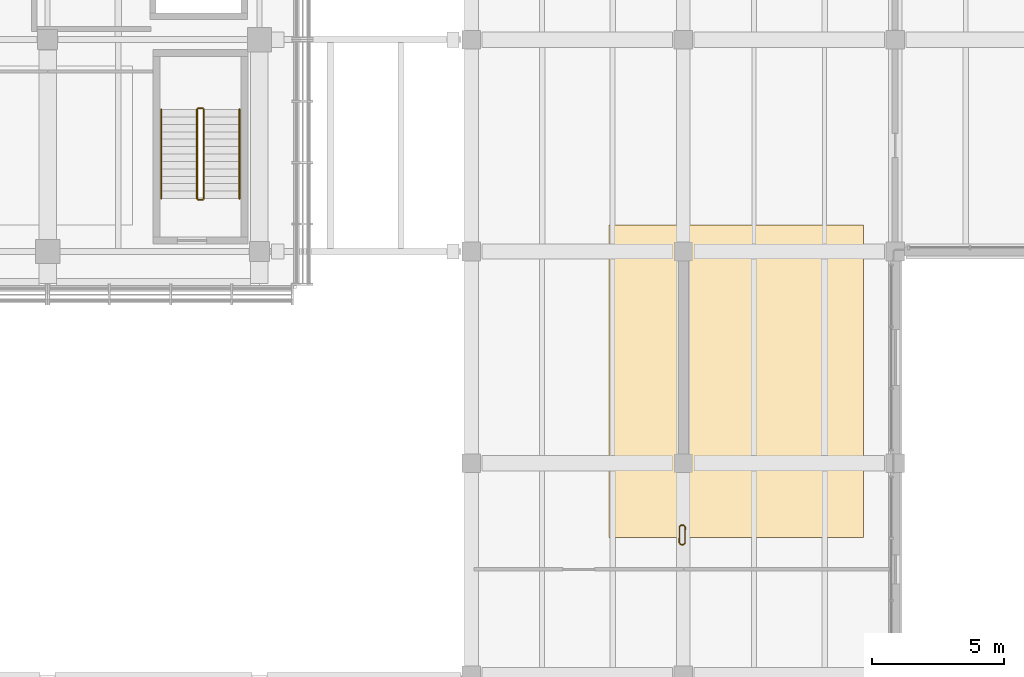
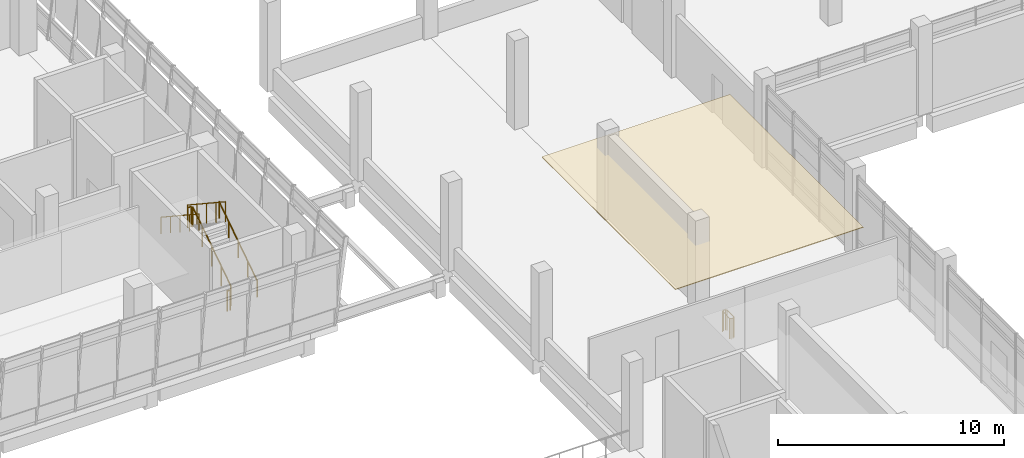
# One storey, part 46 of 52: 7 railings, 1 covering.
"""IFC4 building model written with IfcOpenShell, lengths in metres."""

from ifc_helpers import new_model, si_unit, direction, frame, origin, origin_2d, place, context, subcontext, project, spatial, polyline, circle, outline, extrude, material, layer, layer_set, type_object, element, save


model = new_model("IFC4")

# Units and contexts
model_context = context("Model", 3, precision=1e-05, world=origin(), true_north=direction((0.0, 1.0)))
body_context = subcontext(model_context, "Body", "Model", "MODEL_VIEW")
ifc_project = project(units=[si_unit("LENGTHUNIT", "METRE"), si_unit("AREAUNIT", "SQUARE_METRE"), si_unit("VOLUMEUNIT", "CUBIC_METRE"), si_unit("PLANEANGLEUNIT", "RADIAN"), si_unit("MASSUNIT", "GRAM", prefix="KILO")], contexts=[model_context])

# Site, building, storey
site_placement = place(None, origin())
site = spatial("IfcSite", under=ifc_project, at=site_placement, CompositionType="ELEMENT")
building_placement = place(site_placement, origin())
building = spatial("IfcBuilding", under=site, at=building_placement, Name="Pecanmere Concourse Central Library", CompositionType="ELEMENT")
storey_placement = place(building_placement, frame((0.0, 0.0, 10.5)))
storey = spatial("IfcBuildingStorey", under=building, at=storey_placement, Name="L03", CompositionType="ELEMENT", Elevation=10.5)

# Covering
ifc_material_1 = material(Name="Perforated mineral acoustic ceiling tile")
ifc_layer = layer(ifc_material_1, 0.0400390625, Name="COV_CEIL_ACOUSTIC")
ifc_layer_set = layer_set([ifc_layer], Name="Perforated mineral acoustic ceiling tile")
covering_type = type_object("IfcCoveringType", Name="COV_CEIL_ACOUSTIC", PredefinedType="CEILING", material=ifc_layer_set)
covering_placement = place(storey_placement, frame((0.0, 0.0, 3.429931640625)))
element("IfcCovering", 1, at=covering_placement, inside=storey, type_object=covering_type, Name="Acoustic Coffered Ceiling L03-013", PredefinedType="CEILING", context=body_context, shape_type="SweptSolid", body=[
    extrude(outline(polyline([(117.199951171875, 79.199951171875), (126.800048828125, 79.199951171875), (126.800048828125, 91.0), (117.199951171875, 91.0), (117.199951171875, 79.199951171875)])), origin(), (0.0, 0.0, 1.0), 0.0400390625),
])

# Railings
ifc_material_2 = material(Name="Architectural anodized bronze")
railing_type_1 = type_object("IfcRailingType", Name="RAIL_ATRIUM_BAL", PredefinedType="BALUSTRADE", material=ifc_material_2)
railing_1_placement = place(storey_placement, frame((119.923095703125, 79.669677734375, 0.0)))
element("IfcRailing", 2, at=railing_1_placement, inside=storey, type_object=railing_type_1, Name="Deck Edge Protective Balustrade L03-135", PredefinedType="BALUSTRADE", context=body_context, shape_type="SweptSolid", body=[
    extrude(circle(Radius=0.02392578125, at=origin_2d()), frame((0.0, 0.0, 1.09619140625), z_axis=(-0.806311430369, -0.591491231767, 0.0), x_axis=(0.591491231767, -0.806311430369, 0.0)), (0.0, 0.0, 1.0), 0.0830078125),
    extrude(circle(Radius=0.02392578125, at=origin_2d()), frame((-0.06689453125, -0.049072265625, 1.09619140625), z_axis=(-0.009489489668, -0.999954973779, 0.0), x_axis=(0.999954973779, -0.009489489668, 0.0)), (0.0, 0.0, 1.0), 0.617431640625),
    extrude(circle(Radius=0.02392578125, at=origin_2d()), frame((-0.07275390625, -0.66650390625, 1.09619140625), z_axis=(0.591491231767, -0.806311430369, 0.0), x_axis=(0.806311430369, 0.591491231767, 0.0)), (0.0, 0.0, 1.0), 0.0830078125),
    extrude(circle(Radius=0.02392578125, at=origin_2d()), frame((-0.023681640625, -0.7333984375, 1.09619140625), z_axis=(0.998195860289, -0.060041856258, 0.0), x_axis=(0.060041856258, 0.998195860289, 0.0)), (0.0, 0.0, 1.0), 0.09765625),
    extrude(circle(Radius=0.02392578125, at=origin_2d()), frame((0.07373046875, -0.7392578125, 1.09619140625), z_axis=(0.806311430369, 0.591491231767, 0.0), x_axis=(-0.591491231767, 0.806311430369, 0.0)), (0.0, 0.0, 1.0), 0.0830078125),
    extrude(circle(Radius=0.02392578125, at=origin_2d()), frame((0.140625, -0.690185546875, 1.09619140625), z_axis=(0.009489489668, 0.999954973779, 0.0), x_axis=(-0.999954973779, 0.009489489668, 0.0)), (0.0, 0.0, 1.0), 0.617431640625),
    extrude(circle(Radius=0.02392578125, at=origin_2d()), frame((0.146484375, -0.07275390625, 1.09619140625), z_axis=(-0.591491231767, 0.806311430369, 0.0), x_axis=(-0.806311430369, -0.591491231767, 0.0)), (0.0, 0.0, 1.0), 0.0830078125),
    extrude(circle(Radius=0.02392578125, at=origin_2d()), frame((0.097412109375, -0.005859375, 1.09619140625), z_axis=(-0.998195860289, 0.060041856258, 0.0), x_axis=(-0.060041856258, -0.998195860289, 0.0)), (0.0, 0.0, 1.0), 0.09765625),
    extrude(circle(Radius=0.02099609375, at=origin_2d()), origin(), (0.0, 0.0, 1.0), 1.072021484375),
    extrude(circle(Radius=0.02099609375, at=origin_2d()), frame((-0.06689453125, -0.049072265625, 0.0)), (0.0, 0.0, 1.0), 1.072021484375),
    extrude(circle(Radius=0.02099609375, at=origin_2d()), frame((-0.07275390625, -0.66650390625, 0.0)), (0.0, 0.0, 1.0), 1.072021484375),
    extrude(circle(Radius=0.02099609375, at=origin_2d()), frame((-0.023681640625, -0.7333984375, 0.0)), (0.0, 0.0, 1.0), 1.072021484375),
    extrude(circle(Radius=0.02099609375, at=origin_2d()), frame((0.07373046875, -0.7392578125, 0.0)), (0.0, 0.0, 1.0), 1.072021484375),
    extrude(circle(Radius=0.02099609375, at=origin_2d()), frame((0.140625, -0.690185546875, 0.0)), (0.0, 0.0, 1.0), 1.072021484375),
    extrude(circle(Radius=0.02099609375, at=origin_2d()), frame((0.146484375, -0.07275390625, 0.0)), (0.0, 0.0, 1.0), 1.072021484375),
    extrude(circle(Radius=0.02099609375, at=origin_2d()), frame((0.097412109375, -0.005859375, 0.0)), (0.0, 0.0, 1.0), 1.072021484375),
])
ifc_material_3 = material(Name="Painted architectural steel ASTM A36", Category="steel")
railing_type_2 = type_object("IfcRailingType", Name="RAIL_STAIR_GUARD", PredefinedType="GUARDRAIL", material=ifc_material_3)
railing_2_placement = place(storey_placement, frame((101.89990234375, 92.0, 0.1845703125)))
element("IfcRailing", 3, at=railing_2_placement, inside=storey, type_object=railing_type_2, Name="L03 ST-02 Guard 1", PredefinedType="GUARDRAIL", context=body_context, shape_type="SweptSolid", body=[
    extrude(circle(Radius=0.02392578125, at=origin_2d()), frame((0.0, 0.0, 1.076171875), z_axis=(0.0, 0.834876476806, 0.550437342915), x_axis=(-1.0, 0.0, 0.0)), (0.0, 0.0, 1.0), 4.024658203125),
    extrude(circle(Radius=0.02099609375, at=origin_2d()), origin(), (0.0, 0.0, 1.0), 1.052001953125),
    extrude(circle(Radius=0.02099609375, at=origin_2d()), frame((0.0, 0.840087890625, 0.5537109375)), (0.0, 0.0, 1.0), 1.052001953125),
    extrude(circle(Radius=0.02099609375, at=origin_2d()), frame((0.0, 1.68017578125, 1.107666015625)), (0.0, 0.0, 1.0), 1.052001953125),
    extrude(circle(Radius=0.02099609375, at=origin_2d()), frame((0.0, 2.52001953125, 1.66162109375)), (0.0, 0.0, 1.0), 1.052001953125),
    extrude(circle(Radius=0.02099609375, at=origin_2d()), frame((0.0, 3.360107421875, 2.21533203125)), (0.0, 0.0, 1.0), 1.052001953125),
])
railing_3_placement = place(storey_placement, frame((101.85009765625, 95.409912109375, 2.39990234375)))
element("IfcRailing", 4, at=railing_3_placement, inside=storey, type_object=railing_type_2, Name="L03 ST-02 Guard 2", PredefinedType="GUARDRAIL", context=body_context, shape_type="SweptSolid", body=[
    extrude(circle(Radius=0.02392578125, at=origin_2d()), frame((0.0, 0.0, 1.076171875), z_axis=(-1.0, 0.0, 0.0), x_axis=(0.0, -1.0, 0.0)), (0.0, 0.0, 1.0), 0.16015625),
    extrude(circle(Radius=0.02099609375, at=origin_2d()), origin(), (0.0, 0.0, 1.0), 1.052001953125),
    extrude(circle(Radius=0.02099609375, at=origin_2d()), frame((-0.16015625, 0.0, 0.0)), (0.0, 0.0, 1.0), 1.052001953125),
])
railing_4_placement = place(storey_placement, frame((101.639892578125, 95.360107421875, 2.584716796875)))
element("IfcRailing", 5, at=railing_4_placement, inside=storey, type_object=railing_type_2, Name="L03 ST-02 Guard 3", PredefinedType="GUARDRAIL", context=body_context, shape_type="SweptSolid", body=[
    extrude(circle(Radius=0.02392578125, at=origin_2d()), frame((0.0, 0.0, 1.076171875), z_axis=(0.0, -0.834876476806, 0.550437342915), x_axis=(1.0, 0.0, 0.0)), (0.0, 0.0, 1.0), 4.024658203125),
    extrude(circle(Radius=0.02099609375, at=origin_2d()), origin(), (0.0, 0.0, 1.0), 1.052001953125),
    extrude(circle(Radius=0.02099609375, at=origin_2d()), frame((0.0, -0.840087890625, 0.5537109375)), (0.0, 0.0, 1.0), 1.052001953125),
    extrude(circle(Radius=0.02099609375, at=origin_2d()), frame((0.0, -1.68017578125, 1.107666015625)), (0.0, 0.0, 1.0), 1.052001953125),
    extrude(circle(Radius=0.02099609375, at=origin_2d()), frame((0.0, -2.52001953125, 1.66162109375)), (0.0, 0.0, 1.0), 1.052001953125),
    extrude(circle(Radius=0.02099609375, at=origin_2d()), frame((0.0, -3.360107421875, 2.21533203125)), (0.0, 0.0, 1.0), 1.052001953125),
])
railing_5_placement = place(storey_placement, frame((101.85009765625, 91.949951171875, 0.0)))
element("IfcRailing", 6, at=railing_5_placement, inside=storey, type_object=railing_type_2, Name="L03 ST-02 Guard 4", PredefinedType="GUARDRAIL", context=body_context, shape_type="SweptSolid", body=[
    extrude(circle(Radius=0.02392578125, at=origin_2d()), frame((0.0, 0.0, 1.076171875), z_axis=(-1.0, 0.0, 0.0), x_axis=(0.0, -1.0, 0.0)), (0.0, 0.0, 1.0), 0.16015625),
    extrude(circle(Radius=0.02099609375, at=origin_2d()), origin(), (0.0, 0.0, 1.0), 1.052001953125),
    extrude(circle(Radius=0.02099609375, at=origin_2d()), frame((-0.16015625, 0.0, 0.0)), (0.0, 0.0, 1.0), 1.052001953125),
])
ifc_material_4 = material(Name="Brushed stainless steel Grade 316", Category="steel")
railing_type_3 = type_object("IfcRailingType", Name="RAIL_STAIR_HR", PredefinedType="HANDRAIL", material=ifc_material_4)
railing_6_placement = place(storey_placement, frame((103.25, 92.0, 0.1845703125)))
element("IfcRailing", 7, at=railing_6_placement, inside=storey, type_object=railing_type_3, Name="L03 ST-02 Handrail 1", PredefinedType="HANDRAIL", context=body_context, shape_type="SweptSolid", body=[
    extrude(circle(Radius=0.02392578125, at=origin_2d()), frame((0.0, 0.0, 0.89111328125), z_axis=(0.0, 0.834876476806, 0.550437342915), x_axis=(-1.0, 0.0, 0.0)), (0.0, 0.0, 1.0), 4.024658203125),
    extrude(circle(Radius=0.02099609375, at=origin_2d()), origin(), (0.0, 0.0, 1.0), 0.866943359375),
    extrude(circle(Radius=0.02099609375, at=origin_2d()), frame((0.0, 0.840087890625, 0.5537109375)), (0.0, 0.0, 1.0), 0.866943359375),
    extrude(circle(Radius=0.02099609375, at=origin_2d()), frame((0.0, 1.68017578125, 1.107666015625)), (0.0, 0.0, 1.0), 0.866943359375),
    extrude(circle(Radius=0.02099609375, at=origin_2d()), frame((0.0, 2.52001953125, 1.66162109375)), (0.0, 0.0, 1.0), 0.866943359375),
    extrude(circle(Radius=0.02099609375, at=origin_2d()), frame((0.0, 3.360107421875, 2.21533203125)), (0.0, 0.0, 1.0), 0.866943359375),
])
railing_7_placement = place(storey_placement, frame((100.2900390625, 95.360107421875, 2.584716796875)))
element("IfcRailing", 8, at=railing_7_placement, inside=storey, type_object=railing_type_3, Name="L03 ST-02 Handrail 2", PredefinedType="HANDRAIL", context=body_context, shape_type="SweptSolid", body=[
    extrude(circle(Radius=0.02392578125, at=origin_2d()), frame((0.0, 0.0, 0.89111328125), z_axis=(0.0, -0.834876476806, 0.550437342915), x_axis=(1.0, 0.0, 0.0)), (0.0, 0.0, 1.0), 4.024658203125),
    extrude(circle(Radius=0.02099609375, at=origin_2d()), origin(), (0.0, 0.0, 1.0), 0.866943359375),
    extrude(circle(Radius=0.02099609375, at=origin_2d()), frame((0.0, -0.840087890625, 0.5537109375)), (0.0, 0.0, 1.0), 0.866943359375),
    extrude(circle(Radius=0.02099609375, at=origin_2d()), frame((0.0, -1.68017578125, 1.107666015625)), (0.0, 0.0, 1.0), 0.866943359375),
    extrude(circle(Radius=0.02099609375, at=origin_2d()), frame((0.0, -2.52001953125, 1.66162109375)), (0.0, 0.0, 1.0), 0.866943359375),
    extrude(circle(Radius=0.02099609375, at=origin_2d()), frame((0.0, -3.360107421875, 2.21533203125)), (0.0, 0.0, 1.0), 0.866943359375),
])

save(model, "model.ifc")
